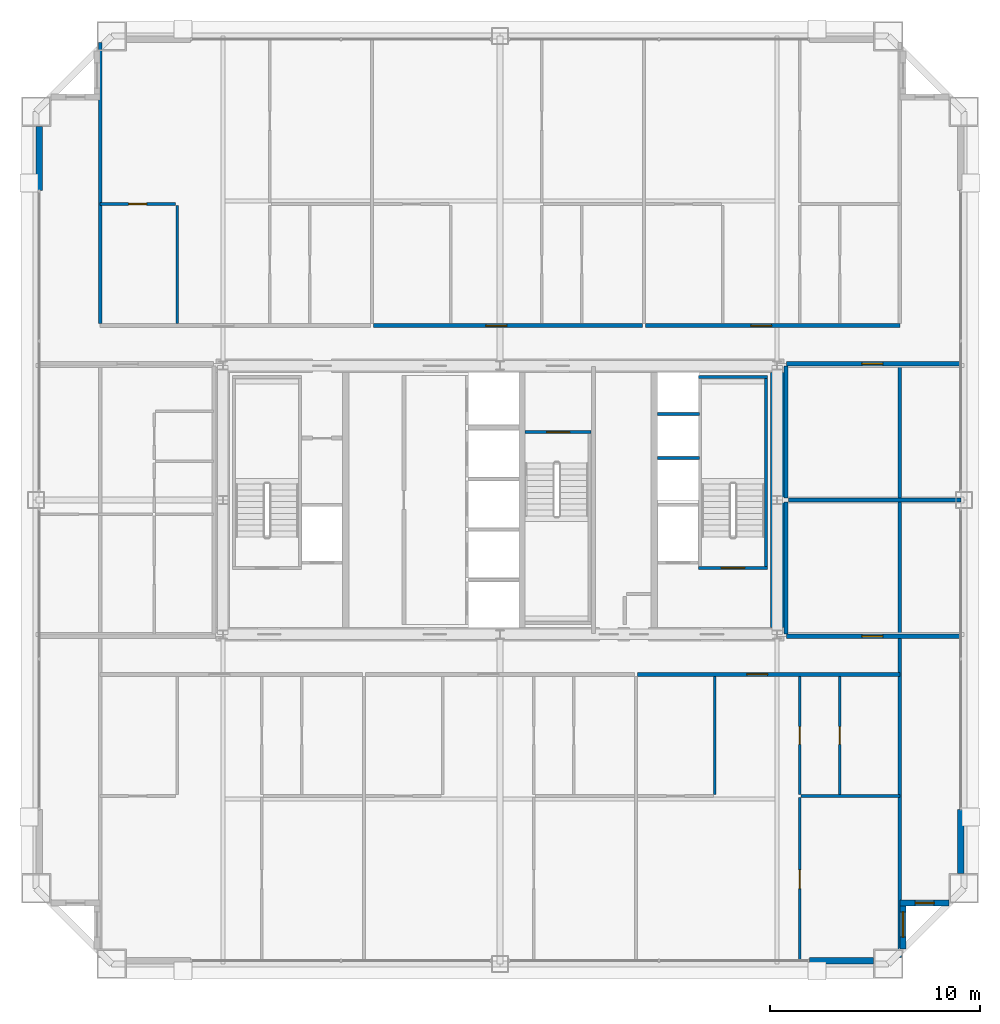
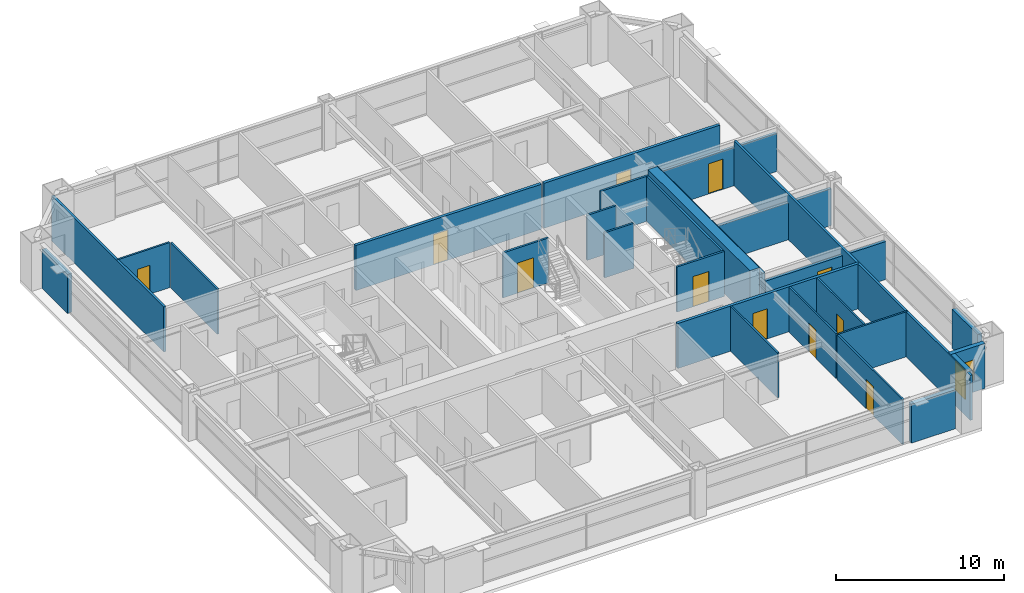
# One storey, part 35 of 38: 29 walls, 11 doors, 2 windows, 13 openings.
"""IFC4 building model written with IfcOpenShell, lengths in metres."""

from ifc_helpers import new_model, si_unit, direction, frame, frame_2d, origin, place, context, subcontext, project, spatial, rectangle, extrude, source, transform, mapped, material, layer, layer_set, type_object, element, fill, save


model = new_model("IFC4")

# Units and contexts
model_context = context("Model", 3, precision=1e-05, world=origin(), true_north=direction((0.0, 1.0)))
body_context = subcontext(model_context, "Body", "Model", "MODEL_VIEW")
ifc_project = project(units=[si_unit("LENGTHUNIT", "METRE"), si_unit("AREAUNIT", "SQUARE_METRE"), si_unit("VOLUMEUNIT", "CUBIC_METRE"), si_unit("PLANEANGLEUNIT", "RADIAN"), si_unit("MASSUNIT", "GRAM", prefix="KILO"), si_unit("THERMODYNAMICTEMPERATUREUNIT", "KELVIN"), si_unit("POWERUNIT", "WATT")], contexts=[model_context])

# Site, building, storey
site_placement = place(None, origin())
site = spatial("IfcSite", under=ifc_project, at=site_placement, CompositionType="ELEMENT")
building_placement = place(site_placement, origin())
building = spatial("IfcBuilding", under=site, at=building_placement, Name="Yuzanri Waterfront Tower", CompositionType="ELEMENT")
storey_placement = place(building_placement, frame((0.0, 0.0, 209.0)))
storey = spatial("IfcBuildingStorey", under=building, at=storey_placement, Name="L55", CompositionType="ELEMENT", Elevation=209.0)

# Wall, opening, door
ifc_material_1 = material(Name="Moisture-Resistant Gypsum Stud Wall", Category="gypsum")
ifc_layer_1 = layer(ifc_material_1, 0.1201171875)
ifc_layer_set_1 = layer_set([ifc_layer_1], Name="Moisture-Resistant Gypsum Stud Wall")
wall_type_1 = type_object("IfcWallType", Name="Bathroom and Kitchen Wet Partition 120", PredefinedType="PARTITIONING", material=ifc_layer_set_1)
wall_1_placement = place(storey_placement, frame((53.179931640625, 11.780029296875, 0.0), z_axis=(0.0, 0.0, 1.0), x_axis=(0.0, 1.0, 0.0)))
wall_1 = element("IfcWall", 1, at=wall_1_placement, inside=storey, type_object=wall_type_1, Name="L55 Partition UW-L55-RS3-SUB-2-W", PredefinedType="PARTITIONING", context=body_context, shape_type="SweptSolid", body=[
    extrude(rectangle(XDim=5.60986328125, YDim=0.1201171875, at=frame_2d((2.804931640625, 0.0))), origin(), (0.0, 0.0, 1.0), 3.280029296875),
])
opening_1_placement = place(wall_1_placement, frame((2.3798828125, 0.0, 0.0)))
opening_1 = element("IfcOpeningElement", 2, at=opening_1_placement, cuts=wall_1, Name="Opening ID-0850", PredefinedType="OPENING", context=body_context, shape_type="SweptSolid", body=[
    extrude(rectangle(XDim=0.85009765625, YDim=2.10009765625, at=frame_2d((0.425048828125, 1.050048828125))), frame((0.0, 0.074951171875, 0.0), z_axis=(0.0, -1.0, 0.0), x_axis=(1.0, 0.0, 0.0)), (0.0, 0.0, 1.0), 0.14990234375),
])
ifc_material_2 = material(Name="Moisture-Resistant Lacquered Timber", Category="wood")
door_type_1 = type_object("IfcDoorType", Name="En-Suite Bathroom and Kitchen Swing Door 850x2100", OperationType="NOTDEFINED", PredefinedType="DOOR", material=ifc_material_2)
shared_shape_1 = source(origin(), body_context, "Body", "SweptSolid", [
    extrude(rectangle(XDim=0.85009765625, YDim=2.10009765625, at=frame_2d((0.425048828125, 1.050048828125))), frame((0.0, 0.02490234375, 0.0), z_axis=(0.0, -1.0, 0.0), x_axis=(1.0, 0.0, 0.0)), (0.0, 0.0, 1.0), 0.050048828125),
])
door_1_placement = place(opening_1_placement, origin())
door_1 = element("IfcDoor", 3, at=door_1_placement, inside=storey, type_object=door_type_1, Name="L55 Suite Interior Room Door", OperationType="SINGLE_SWING_RIGHT", OverallHeight=2.10009765625, OverallWidth=0.85009765625, PredefinedType="DOOR", context=body_context, shape_type="MappedRepresentation", body=[
    mapped(shared_shape_1, transform((0.0, 0.0, 0.0), scale=1.0)),
])
fill(opening_1, door_1)

wall_2_placement = place(storey_placement, frame((51.26806640625, 3.85009765625, 0.0), z_axis=(0.0, 0.0, 1.0), x_axis=(0.0, 1.0, 0.0)))
wall_2 = element("IfcWall", 4, at=wall_2_placement, inside=storey, type_object=wall_type_1, Name="L55 Partition UW-L55-RS3-SUB-3-W", PredefinedType="PARTITIONING", context=body_context, shape_type="SweptSolid", body=[
    extrude(rectangle(XDim=7.77001953125, YDim=0.1201171875, at=frame_2d((3.885009765625, 0.0))), origin(), (0.0, 0.0, 1.0), 3.280029296875),
])
opening_2_placement = place(wall_2_placement, frame((3.43505859375, 0.0, 0.0)))
opening_2 = element("IfcOpeningElement", 5, at=opening_2_placement, cuts=wall_2, Name="Opening ID-0900", PredefinedType="OPENING", context=body_context, shape_type="SweptSolid", body=[
    extrude(rectangle(XDim=0.89990234375, YDim=2.14990234375, at=frame_2d((0.449951171875, 1.074951171875))), frame((0.0, 0.074951171875, 0.0), z_axis=(0.0, -1.0, 0.0), x_axis=(1.0, 0.0, 0.0)), (0.0, 0.0, 1.0), 0.14990234375),
])
ifc_material_3 = material(Name="Stained Walnut Veneer Timber", Category="wood")
door_type_2 = type_object("IfcDoorType", Name="Bedroom and Study Interior Swing Door 900x2150", OperationType="NOTDEFINED", PredefinedType="DOOR", material=ifc_material_3)
shared_shape_2 = source(origin(), body_context, "Body", "SweptSolid", [
    extrude(rectangle(XDim=0.89990234375, YDim=2.14990234375, at=frame_2d((0.449951171875, 1.074951171875))), frame((0.0, 0.02490234375, 0.0), z_axis=(0.0, -1.0, 0.0), x_axis=(1.0, 0.0, 0.0)), (0.0, 0.0, 1.0), 0.050048828125),
])
door_2_placement = place(opening_2_placement, origin())
door_2 = element("IfcDoor", 6, at=door_2_placement, inside=storey, type_object=door_type_2, Name="L55 Suite Interior Room Door", OperationType="SINGLE_SWING_LEFT", OverallHeight=2.14990234375, OverallWidth=0.89990234375, PredefinedType="DOOR", context=body_context, shape_type="MappedRepresentation", body=[
    mapped(shared_shape_2, transform((0.0, 0.0, 0.0), scale=1.0)),
])
fill(opening_2, door_2)

wall_3_placement = place(storey_placement, frame((51.26806640625, 11.780029296875, 0.0), z_axis=(0.0, 0.0, 1.0), x_axis=(0.0, 1.0, 0.0)))
wall_3 = element("IfcWall", 7, at=wall_3_placement, inside=storey, type_object=wall_type_1, Name="L55 Partition UW-L55-RS3-SUB-4-W", PredefinedType="PARTITIONING", context=body_context, shape_type="SweptSolid", body=[
    extrude(rectangle(XDim=5.60986328125, YDim=0.1201171875, at=frame_2d((2.804931640625, 0.0))), origin(), (0.0, 0.0, 1.0), 3.280029296875),
])
opening_3_placement = place(wall_3_placement, frame((2.3798828125, 0.0, 0.0)))
opening_3 = element("IfcOpeningElement", 8, at=opening_3_placement, cuts=wall_3, Name="Opening ID-0850", PredefinedType="OPENING", context=body_context, shape_type="SweptSolid", body=[
    extrude(rectangle(XDim=0.85009765625, YDim=2.10009765625, at=frame_2d((0.425048828125, 1.050048828125))), frame((0.0, 0.074951171875, 0.0), z_axis=(0.0, -1.0, 0.0), x_axis=(1.0, 0.0, 0.0)), (0.0, 0.0, 1.0), 0.14990234375),
])
door_3_placement = place(opening_3_placement, origin())
door_3 = element("IfcDoor", 9, at=door_3_placement, inside=storey, type_object=door_type_1, Name="L55 Suite Interior Room Door", OperationType="SINGLE_SWING_RIGHT", OverallHeight=2.10009765625, OverallWidth=0.85009765625, PredefinedType="DOOR", context=body_context, shape_type="MappedRepresentation", body=[
    mapped(shared_shape_1, transform((0.0, 0.0, 0.0), scale=1.0)),
])
fill(opening_3, door_3)

wall_4_placement = place(storey_placement, frame((17.93994140625, 39.89990234375, 0.0), z_axis=(0.0, 0.0, 1.0), x_axis=(1.0, 0.0, 0.0)))
wall_4 = element("IfcWall", 10, at=wall_4_placement, inside=storey, type_object=wall_type_1, Name="L55 Partition UW-L55-RN1-SUB-1-N", PredefinedType="PARTITIONING", context=body_context, shape_type="SweptSolid", body=[
    extrude(rectangle(XDim=3.60009765625, YDim=0.1201171875, at=frame_2d((1.800048828125, 0.0))), origin(), (0.0, 0.0, 1.0), 3.280029296875),
])
opening_4_placement = place(wall_4_placement, frame((1.375, 0.0, 0.0)))
opening_4 = element("IfcOpeningElement", 11, at=opening_4_placement, cuts=wall_4, Name="Opening ID-0850", PredefinedType="OPENING", context=body_context, shape_type="SweptSolid", body=[
    extrude(rectangle(XDim=0.85009765625, YDim=2.10009765625, at=frame_2d((0.425048828125, 1.050048828125))), frame((0.0, 0.074951171875, 0.0), z_axis=(0.0, -1.0, 0.0), x_axis=(1.0, 0.0, 0.0)), (0.0, 0.0, 1.0), 0.14990234375),
])
door_4_placement = place(opening_4_placement, origin())
door_4 = element("IfcDoor", 12, at=door_4_placement, inside=storey, type_object=door_type_1, Name="L55 Suite Interior Room Door", OperationType="SINGLE_SWING_RIGHT", OverallHeight=2.10009765625, OverallWidth=0.85009765625, PredefinedType="DOOR", context=body_context, shape_type="MappedRepresentation", body=[
    mapped(shared_shape_1, transform((0.0, 0.0, 0.0), scale=1.0)),
])
fill(opening_4, door_4)

# Wall, opening, window
ifc_material_4 = material(Name="Honed Chongqing Dark Basalt Stone", Category="masonry")
ifc_layer_2 = layer(ifc_material_4, 0.300048828125)
ifc_layer_set_2 = layer_set([ifc_layer_2], Name="Honed Chongqing Dark Basalt Stone")
wall_type_2 = type_object("IfcWallType", Name="Bronze Rainscreen Insulated Spandrel Portal Wall 300", PredefinedType="SOLIDWALL", material=ifc_layer_set_2)
wall_5_placement = place(storey_placement, frame((56.050048828125, 6.60009765625, 0.0), z_axis=(0.0, 0.0, 1.0), x_axis=(1.0, 0.0, 0.0)))
wall_5 = element("IfcWall", 13, at=wall_5_placement, inside=storey, type_object=wall_type_2, Name="L55 Notched Corner Masonry Wall SE-X", PredefinedType="SOLIDWALL", context=body_context, shape_type="SweptSolid", body=[
    extrude(rectangle(XDim=2.349853515625, YDim=0.300048828125, at=frame_2d((1.1748046875, 0.0))), origin(), (0.0, 0.0, 1.0), 3.280029296875),
])
opening_5_placement = place(wall_5_placement, frame((0.72509765625, 0.0, 0.85009765625)))
opening_5 = element("IfcOpeningElement", 14, at=opening_5_placement, cuts=wall_5, Name="Opening WN-05", PredefinedType="OPENING", context=body_context, shape_type="SweptSolid", body=[
    extrude(rectangle(XDim=0.89990234375, YDim=1.5, at=frame_2d((0.449951171875, 0.75))), frame((0.0, 0.1650390625, 0.0), z_axis=(0.0, -1.0, 0.0), x_axis=(1.0, 0.0, 0.0)), (0.0, 0.0, 1.0), 0.329833984375),
])
ifc_material_5 = material(Name="Double-Silver Low-E Insulated Glass", Category="glass")
window_type_1 = type_object("IfcWindowType", Name="Anodized Bronze Service and Stairwell Smoke-Vent Window 900x1500", PartitioningType="SINGLE_PANEL", PredefinedType="WINDOW", material=ifc_material_5)
shared_shape_3 = source(origin(), body_context, "Body", "SweptSolid", [
    extrude(rectangle(XDim=0.89990234375, YDim=1.5, at=frame_2d((0.449951171875, 0.75))), frame((0.0, 0.030029296875, 0.0), z_axis=(0.0, -1.0, 0.0), x_axis=(1.0, 0.0, 0.0)), (0.0, 0.0, 1.0), 0.06005859375),
])
window_1_placement = place(opening_5_placement, origin())
window_1 = element("IfcWindow", 15, at=window_1_placement, inside=storey, type_object=window_type_1, Name="L55 Notched Corner Window SE-X", OverallHeight=1.5, OverallWidth=0.89990234375, PartitioningType="SINGLE_PANEL", PredefinedType="WINDOW", context=body_context, shape_type="MappedRepresentation", body=[
    mapped(shared_shape_3, transform((0.0, 0.0, 0.0), scale=1.0)),
])
fill(opening_5, window_1)

wall_6_placement = place(storey_placement, frame((56.199951171875, 4.39990234375, 0.0), z_axis=(0.0, 0.0, 1.0), x_axis=(0.0, 1.0, 0.0)))
wall_6 = element("IfcWall", 16, at=wall_6_placement, inside=storey, type_object=wall_type_2, Name="L55 Notched Corner Masonry Wall SE-Y", PredefinedType="SOLIDWALL", context=body_context, shape_type="SweptSolid", body=[
    extrude(rectangle(XDim=2.35009765625, YDim=0.300048828125, at=frame_2d((1.175048828125, 0.0))), origin(), (0.0, 0.0, 1.0), 3.280029296875),
])
opening_6_placement = place(wall_6_placement, frame((0.574951171875, 0.0, 0.85009765625)))
opening_6 = element("IfcOpeningElement", 17, at=opening_6_placement, cuts=wall_6, Name="Opening WN-02", PredefinedType="OPENING", context=body_context, shape_type="SweptSolid", body=[
    extrude(rectangle(XDim=1.199951171875, YDim=2.10009765625, at=frame_2d((0.60009765625, 1.050048828125))), frame((0.0, 0.1650390625, 0.0), z_axis=(0.0, -1.0, 0.0), x_axis=(1.0, 0.0, 0.0)), (0.0, 0.0, 1.0), 0.329833984375),
])
ifc_material_6 = material(Name="Double-Silver Low-E Insulated Glass", Category="glass")
window_type_2 = type_object("IfcWindowType", Name="Anodized Bronze Notched Corner Deep-Set Slot Window 1200x2100", PartitioningType="SINGLE_PANEL", PredefinedType="WINDOW", material=ifc_material_6)
shared_shape_4 = source(origin(), body_context, "Body", "SweptSolid", [
    extrude(rectangle(XDim=1.199951171875, YDim=2.10009765625, at=frame_2d((0.60009765625, 1.050048828125))), frame((0.0, 0.030029296875, 0.0), z_axis=(0.0, -1.0, 0.0), x_axis=(1.0, 0.0, 0.0)), (0.0, 0.0, 1.0), 0.06005859375),
])
window_2_placement = place(opening_6_placement, origin())
window_2 = element("IfcWindow", 18, at=window_2_placement, inside=storey, type_object=window_type_2, Name="L55 Notched Corner Window SE-Y", OverallHeight=2.10009765625, OverallWidth=1.199951171875, PartitioningType="SINGLE_PANEL", PredefinedType="WINDOW", context=body_context, shape_type="MappedRepresentation", body=[
    mapped(shared_shape_4, transform((0.0, 0.0, 0.0), scale=1.0)),
])
fill(opening_6, window_2)

# Wall, opening, door
ifc_material_7 = material(Name="Concrete C40", Category="concrete")
ifc_layer_3 = layer(ifc_material_7, 0.139892578125)
ifc_layer_set_3 = layer_set([ifc_layer_3], Name="Concrete C40")
wall_type_3 = type_object("IfcWallType", Name="Core Stair Liner and Hoistway Shaft Wall 140", PredefinedType="SOLIDWALL", material=ifc_layer_set_3)
wall_7_placement = place(storey_placement, frame((46.4599609375, 22.570068359375, 0.0), z_axis=(0.0, 0.0, 1.0), x_axis=(1.0, 0.0, 0.0)))
wall_7 = element("IfcWall", 19, at=wall_7_placement, inside=storey, type_object=wall_type_3, Name="L55 Shaft Wall STW-L55-ST-02-S", PredefinedType="SOLIDWALL", context=body_context, shape_type="SweptSolid", body=[
    extrude(rectangle(XDim=3.280029296875, YDim=0.139892578125, at=frame_2d((1.64013671875, 0.0))), origin(), (0.0, 0.0, 1.0), 3.280029296875),
])
opening_7_placement = place(wall_7_placement, frame((1.090087890625, 0.0, 0.0)))
opening_7 = element("IfcOpeningElement", 20, at=opening_7_placement, cuts=wall_7, Name="Opening FD-1100", PredefinedType="OPENING", context=body_context, shape_type="SweptSolid", body=[
    extrude(rectangle(XDim=1.10009765625, YDim=2.199951171875, at=frame_2d((0.550048828125, 1.10009765625))), frame((0.0, 0.0849609375, 0.0), z_axis=(0.0, -1.0, 0.0), x_axis=(1.0, 0.0, 0.0)), (0.0, 0.0, 1.0), 0.169677734375),
])
ifc_material_8 = material(Name="Painted Galvanized Fire Steel", Category="steel")
door_type_3 = type_object("IfcDoorType", Name="Smoke-Proof Stair and Lobby Fire Door 1100x2200", OperationType="NOTDEFINED", PredefinedType="DOOR", material=ifc_material_8)
shared_shape_5 = source(origin(), body_context, "Body", "SweptSolid", [
    extrude(rectangle(XDim=1.10009765625, YDim=2.199951171875, at=frame_2d((0.550048828125, 1.10009765625))), frame((0.0, 0.02490234375, 0.0), z_axis=(0.0, -1.0, 0.0), x_axis=(1.0, 0.0, 0.0)), (0.0, 0.0, 1.0), 0.050048828125),
])
door_5_placement = place(opening_7_placement, origin())
door_5 = element("IfcDoor", 21, at=door_5_placement, inside=storey, type_object=door_type_3, Name="L55 Stair ST-02 Fire Door", OperationType="SINGLE_SWING_RIGHT", OverallHeight=2.199951171875, OverallWidth=1.10009765625, PredefinedType="DOOR", context=body_context, shape_type="MappedRepresentation", body=[
    mapped(shared_shape_5, transform((0.0, 0.0, 0.0), scale=1.0)),
])
fill(opening_7, door_5)

wall_8_placement = place(storey_placement, frame((38.199951171875, 29.030029296875, 0.0), z_axis=(0.0, 0.0, 1.0), x_axis=(1.0, 0.0, 0.0)))
wall_8 = element("IfcWall", 22, at=wall_8_placement, inside=storey, type_object=wall_type_3, Name="L55 Shaft Wall STW-L55-ST-03-N", PredefinedType="SOLIDWALL", context=body_context, shape_type="SweptSolid", body=[
    extrude(rectangle(XDim=3.14013671875, YDim=0.139892578125, at=frame_2d((1.570068359375, 0.0))), origin(), (0.0, 0.0, 1.0), 3.280029296875),
])
opening_8_placement = place(wall_8_placement, frame((1.02001953125, 0.0, 0.0)))
opening_8 = element("IfcOpeningElement", 23, at=opening_8_placement, cuts=wall_8, Name="Opening FD-1100", PredefinedType="OPENING", context=body_context, shape_type="SweptSolid", body=[
    extrude(rectangle(XDim=1.10009765625, YDim=2.199951171875, at=frame_2d((0.550048828125, 1.10009765625))), frame((0.0, 0.0849609375, 0.0), z_axis=(0.0, -1.0, 0.0), x_axis=(1.0, 0.0, 0.0)), (0.0, 0.0, 1.0), 0.169677734375),
])
door_6_placement = place(opening_8_placement, origin())
door_6 = element("IfcDoor", 24, at=door_6_placement, inside=storey, type_object=door_type_3, Name="L55 Stair ST-03 Fire Door", OperationType="SINGLE_SWING_LEFT", OverallHeight=2.199951171875, OverallWidth=1.10009765625, PredefinedType="DOOR", context=body_context, shape_type="MappedRepresentation", body=[
    mapped(shared_shape_5, transform((0.0, 0.0, 0.0), scale=1.0)),
])
fill(opening_8, door_6)

ifc_material_9 = material(Name="Autoclaved Aerated Concrete Blockwork", Category="masonry")
ifc_layer_4 = layer(ifc_material_9, 0.199951171875)
ifc_layer_set_4 = layer_set([ifc_layer_4], Name="Autoclaved Aerated Concrete Blockwork")
wall_type_4 = type_object("IfcWallType", Name="Corridor and Unit Party Fire Wall 200", PredefinedType="PARTITIONING", material=ifc_layer_set_4)
wall_9_placement = place(storey_placement, frame((43.56005859375, 17.489990234375, 0.0), z_axis=(0.0, 0.0, 1.0), x_axis=(1.0, 0.0, 0.0)))
wall_9 = element("IfcWall", 25, at=wall_9_placement, inside=storey, type_object=wall_type_4, Name="L55 Partition UW-L55-RS3-CN", PredefinedType="PARTITIONING", context=body_context, shape_type="SweptSolid", body=[
    extrude(rectangle(XDim=12.5, YDim=0.199951171875, at=frame_2d((6.25, 0.0))), origin(), (0.0, 0.0, 1.0), 3.280029296875),
])
opening_9_placement = place(wall_9_placement, frame((5.194091796875, 0.0, 0.0)))
opening_9 = element("IfcOpeningElement", 26, at=opening_9_placement, cuts=wall_9, Name="Opening FD-1000", PredefinedType="OPENING", context=body_context, shape_type="SweptSolid", body=[
    extrude(rectangle(XDim=1.0, YDim=2.199951171875, at=frame_2d((0.5, 1.10009765625))), frame((0.0, 0.11474609375, 0.0), z_axis=(0.0, -1.0, 0.0), x_axis=(1.0, 0.0, 0.0)), (0.0, 0.0, 1.0), 0.229736328125),
])
ifc_material_10 = material(Name="Engineered Oak Fire-Rated Timber", Category="wood")
door_type_4 = type_object("IfcDoorType", Name="Guestroom and Apartment Entrance Fire Door 1000x2200", OperationType="NOTDEFINED", PredefinedType="DOOR", material=ifc_material_10)
shared_shape_6 = source(origin(), body_context, "Body", "SweptSolid", [
    extrude(rectangle(XDim=1.0, YDim=2.199951171875, at=frame_2d((0.5, 1.10009765625))), frame((0.0, 0.02490234375, 0.0), z_axis=(0.0, -1.0, 0.0), x_axis=(1.0, 0.0, 0.0)), (0.0, 0.0, 1.0), 0.050048828125),
])
door_7_placement = place(opening_9_placement, origin())
door_7 = element("IfcDoor", 27, at=door_7_placement, inside=storey, type_object=door_type_4, Name="L55 Apartment Living Room Entrance Door", OperationType="SINGLE_SWING_RIGHT", OverallHeight=2.199951171875, OverallWidth=1.0, PredefinedType="DOOR", context=body_context, shape_type="MappedRepresentation", body=[
    mapped(shared_shape_6, transform((0.0, 0.0, 0.0), scale=1.0)),
])
fill(opening_9, door_7)

wall_10_placement = place(storey_placement, frame((30.98095703125, 34.110107421875, 0.0), z_axis=(0.0, 0.0, 1.0), x_axis=(1.0, 0.0, 0.0)))
wall_10 = element("IfcWall", 28, at=wall_10_placement, inside=storey, type_object=wall_type_4, Name="L55 Partition UW-L55-RN2-CS", PredefinedType="PARTITIONING", context=body_context, shape_type="SweptSolid", body=[
    extrude(rectangle(XDim=12.801025390625, YDim=0.199951171875, at=frame_2d((6.400390625, 0.0))), origin(), (0.0, 0.0, 1.0), 3.280029296875),
])
opening_10_placement = place(wall_10_placement, frame((5.343994140625, 0.0, 0.0)))
opening_10 = element("IfcOpeningElement", 29, at=opening_10_placement, cuts=wall_10, Name="Opening FD-1000", PredefinedType="OPENING", context=body_context, shape_type="SweptSolid", body=[
    extrude(rectangle(XDim=1.0, YDim=2.199951171875, at=frame_2d((0.5, 1.10009765625))), frame((0.0, 0.11474609375, 0.0), z_axis=(0.0, -1.0, 0.0), x_axis=(1.0, 0.0, 0.0)), (0.0, 0.0, 1.0), 0.229736328125),
])
door_8_placement = place(opening_10_placement, origin())
door_8 = element("IfcDoor", 30, at=door_8_placement, inside=storey, type_object=door_type_4, Name="L55 Apartment Living Room Entrance Door", OperationType="SINGLE_SWING_RIGHT", OverallHeight=2.199951171875, OverallWidth=1.0, PredefinedType="DOOR", context=body_context, shape_type="MappedRepresentation", body=[
    mapped(shared_shape_6, transform((0.0, 0.0, 0.0), scale=1.0)),
])
fill(opening_10, door_8)

wall_11_placement = place(storey_placement, frame((43.94189453125, 34.110107421875, 0.0), z_axis=(0.0, 0.0, 1.0), x_axis=(1.0, 0.0, 0.0)))
wall_11 = element("IfcWall", 31, at=wall_11_placement, inside=storey, type_object=wall_type_4, Name="L55 Partition UW-L55-RN3-CS", PredefinedType="PARTITIONING", context=body_context, shape_type="SweptSolid", body=[
    extrude(rectangle(XDim=12.1181640625, YDim=0.199951171875, at=frame_2d((6.05908203125, 0.0))), origin(), (0.0, 0.0, 1.0), 3.280029296875),
])
opening_11_placement = place(wall_11_placement, frame((5.0029296875, 0.0, 0.0)))
opening_11 = element("IfcOpeningElement", 32, at=opening_11_placement, cuts=wall_11, Name="Opening FD-1000", PredefinedType="OPENING", context=body_context, shape_type="SweptSolid", body=[
    extrude(rectangle(XDim=1.0, YDim=2.199951171875, at=frame_2d((0.5, 1.10009765625))), frame((0.0, 0.11474609375, 0.0), z_axis=(0.0, -1.0, 0.0), x_axis=(1.0, 0.0, 0.0)), (0.0, 0.0, 1.0), 0.229736328125),
])
door_9_placement = place(opening_11_placement, origin())
door_9 = element("IfcDoor", 33, at=door_9_placement, inside=storey, type_object=door_type_4, Name="L55 Apartment Living Room Entrance Door", OperationType="SINGLE_SWING_LEFT", OverallHeight=2.199951171875, OverallWidth=1.0, PredefinedType="DOOR", context=body_context, shape_type="MappedRepresentation", body=[
    mapped(shared_shape_6, transform((0.0, 0.0, 0.0), scale=1.0)),
])
fill(opening_11, door_9)

wall_12_placement = place(storey_placement, frame((50.64990234375, 19.31005859375, 0.0), z_axis=(0.0, 0.0, 1.0), x_axis=(1.0, 0.0, 0.0)))
wall_12 = element("IfcWall", 34, at=wall_12_placement, inside=storey, type_object=wall_type_4, Name="L55 Partition UW-L55-050-CS", PredefinedType="PARTITIONING", context=body_context, shape_type="SweptSolid", body=[
    extrude(rectangle(XDim=8.300048828125, YDim=0.199951171875, at=frame_2d((4.14990234375, 0.0))), origin(), (0.0, 0.0, 1.0), 2.77490234375),
])
opening_12_placement = place(wall_12_placement, frame((3.5849609375, 0.0, 0.0)))
opening_12 = element("IfcOpeningElement", 35, at=opening_12_placement, cuts=wall_12, Name="Opening FD-1000", PredefinedType="OPENING", context=body_context, shape_type="SweptSolid", body=[
    extrude(rectangle(XDim=1.0, YDim=2.199951171875, at=frame_2d((0.5, 1.10009765625))), frame((0.0, 0.11474609375, 0.0), z_axis=(0.0, -1.0, 0.0), x_axis=(1.0, 0.0, 0.0)), (0.0, 0.0, 1.0), 0.229736328125),
])
door_10_placement = place(opening_12_placement, origin())
door_10 = element("IfcDoor", 36, at=door_10_placement, inside=storey, type_object=door_type_4, Name="L55 Residents E Co-Working Office 1 Entrance Door", OperationType="SINGLE_SWING_LEFT", OverallHeight=2.199951171875, OverallWidth=1.0, PredefinedType="DOOR", context=body_context, shape_type="MappedRepresentation", body=[
    mapped(shared_shape_6, transform((0.0, 0.0, 0.0), scale=1.0)),
])
fill(opening_12, door_10)

wall_13_placement = place(storey_placement, frame((50.64990234375, 32.2900390625, 0.0), z_axis=(0.0, 0.0, 1.0), x_axis=(1.0, 0.0, 0.0)))
wall_13 = element("IfcWall", 37, at=wall_13_placement, inside=storey, type_object=wall_type_4, Name="L55 Partition UW-L55-051-CN", PredefinedType="PARTITIONING", context=body_context, shape_type="SweptSolid", body=[
    extrude(rectangle(XDim=8.300048828125, YDim=0.199951171875, at=frame_2d((4.14990234375, 0.0))), origin(), (0.0, 0.0, 1.0), 2.77490234375),
])
opening_13_placement = place(wall_13_placement, frame((3.5849609375, 0.0, 0.0)))
opening_13 = element("IfcOpeningElement", 38, at=opening_13_placement, cuts=wall_13, Name="Opening FD-1000", PredefinedType="OPENING", context=body_context, shape_type="SweptSolid", body=[
    extrude(rectangle(XDim=1.0, YDim=2.199951171875, at=frame_2d((0.5, 1.10009765625))), frame((0.0, 0.11474609375, 0.0), z_axis=(0.0, -1.0, 0.0), x_axis=(1.0, 0.0, 0.0)), (0.0, 0.0, 1.0), 0.229736328125),
])
door_11_placement = place(opening_13_placement, origin())
door_11 = element("IfcDoor", 39, at=door_11_placement, inside=storey, type_object=door_type_4, Name="L55 Residents E Executive Office 2 Entrance Door", OperationType="SINGLE_SWING_RIGHT", OverallHeight=2.199951171875, OverallWidth=1.0, PredefinedType="DOOR", context=body_context, shape_type="MappedRepresentation", body=[
    mapped(shared_shape_6, transform((0.0, 0.0, 0.0), scale=1.0)),
])
fill(opening_13, door_11)

# Walls
ifc_material_11 = material(Name="Concrete C50", Category="concrete")
ifc_layer_5 = layer(ifc_material_11, 0.64990234375)
ifc_layer_set_5 = layer_set([ifc_layer_5], Name="Concrete C50")
wall_type_5 = type_object("IfcWallType", Name="Concrete C50 Mid Zone Core Shear Wall 650", PredefinedType="SHEAR", material=ifc_layer_set_5)
shared_shape_7 = source(origin(), body_context, "Body", "SweptSolid", [
    extrude(rectangle(XDim=12.14990234375, YDim=0.64990234375, at=frame_2d((6.074951171875, 0.0))), origin(), (0.0, 0.0, 1.0), 3.5),
])
wall_14_placement = place(storey_placement, frame((50.199951171875, 19.72509765625, 0.0), z_axis=(0.0, 0.0, 1.0), x_axis=(0.0, 1.0, 0.0)))
element("IfcWall", 40, at=wall_14_placement, inside=storey, type_object=wall_type_5, Name="L55 Core East Shear Wall", PredefinedType="SHEAR", context=body_context, shape_type="MappedRepresentation", body=[
    mapped(shared_shape_7, transform((0.0, 0.0, 0.0), scale=1.0)),
])
shared_shape_8 = source(origin(), body_context, "Body", "SweptSolid", [
    extrude(rectangle(XDim=3.050048828125, YDim=0.300048828125, at=frame_2d((1.52490234375, 0.0))), origin(), (0.0, 0.0, 1.0), 2.8349609375),
])
for number, where, z_axis, x_axis, name in (
    (41, (51.75, 3.85009765625, 0.0), (0.0, 0.0, 1.0), (1.0, 0.0, 0.0), "L55 S Right Braced Masonry Shoulder"),
    (42, (15.050048828125, 40.550048828125, 0.0), (0.0, 0.0, 1.0), (0.0, 1.0, 0.0), "L55 W Right Braced Masonry Shoulder"),
    (43, (58.949951171875, 8.0, 0.0), (0.0, 0.0, 1.0), (0.0, 1.0, 0.0), "L55 E Left Braced Masonry Shoulder"),
):
    element("IfcWall", number, at=place(storey_placement, frame(where, z_axis=z_axis, x_axis=x_axis)), inside=storey, type_object=wall_type_2, Name=name, PredefinedType="SOLIDWALL", context=body_context, shape_type="MappedRepresentation", body=[
        mapped(shared_shape_8, transform((0.0, 0.0, 0.0), scale=1.0)),
    ])
shared_shape_9 = source(origin(), body_context, "Body", "SweptSolid", [
    extrude(rectangle(XDim=2.0, YDim=0.139892578125, at=frame_2d((1.0, 0.0))), origin(), (0.0, 0.0, 1.0), 3.280029296875),
])
for number, where, z_axis, x_axis, name in (
    (44, (44.5, 27.800048828125, 0.0), (0.0, 0.0, 1.0), (1.0, 0.0, 0.0), "L55 Lift PL-09 Divider Wall"),
    (45, (44.5, 29.89990234375, 0.0), (0.0, 0.0, 1.0), (1.0, 0.0, 0.0), "L55 Lift PL-10 Divider Wall"),
):
    element("IfcWall", number, at=place(storey_placement, frame(where, z_axis=z_axis, x_axis=x_axis)), inside=storey, type_object=wall_type_3, Name=name, PredefinedType="SOLIDWALL", context=body_context, shape_type="MappedRepresentation", body=[
        mapped(shared_shape_9, transform((0.0, 0.0, 0.0), scale=1.0)),
    ])
shared_shape_10 = source(origin(), body_context, "Body", "SweptSolid", [
    extrude(rectangle(XDim=3.280029296875, YDim=0.139892578125, at=frame_2d((1.64013671875, 0.0))), origin(), (0.0, 0.0, 1.0), 3.280029296875),
])
wall_15_placement = place(storey_placement, frame((46.4599609375, 31.64990234375, 0.0), z_axis=(0.0, 0.0, 1.0), x_axis=(1.0, 0.0, 0.0)))
element("IfcWall", 46, at=wall_15_placement, inside=storey, type_object=wall_type_3, Name="L55 Stair ST-02 North Shaft Wall", PredefinedType="SOLIDWALL", context=body_context, shape_type="MappedRepresentation", body=[
    mapped(shared_shape_10, transform((0.0, 0.0, 0.0), scale=1.0)),
])
shared_shape_11 = source(origin(), body_context, "Body", "SweptSolid", [
    extrude(rectangle(XDim=8.940185546875, YDim=0.139892578125, at=frame_2d((4.47021484375, 0.0))), origin(), (0.0, 0.0, 1.0), 3.280029296875),
])
wall_16_placement = place(storey_placement, frame((49.669921875, 22.639892578125, 0.0), z_axis=(0.0, 0.0, 1.0), x_axis=(0.0, 1.0, 0.0)))
element("IfcWall", 47, at=wall_16_placement, inside=storey, type_object=wall_type_3, Name="L55 Stair ST-02 East Shaft Wall", PredefinedType="SOLIDWALL", context=body_context, shape_type="MappedRepresentation", body=[
    mapped(shared_shape_11, transform((0.0, 0.0, 0.0), scale=1.0)),
])
ifc_material_12 = material(Name="Gypsum Fireboard Acoustic Stud Wall", Category="gypsum")
ifc_layer_6 = layer(ifc_material_12, 0.159912109375)
ifc_layer_set_6 = layer_set([ifc_layer_6], Name="Gypsum Fireboard Acoustic Stud Wall")
wall_type_6 = type_object("IfcWallType", Name="Acoustic Suite Demising Partition 160", PredefinedType="PARTITIONING", material=ifc_layer_set_6)
shared_shape_12 = source(origin(), body_context, "Body", "SweptSolid", [
    extrude(rectangle(XDim=13.39013671875, YDim=0.159912109375, at=frame_2d((6.695068359375, 0.0))), origin(), (0.0, 0.0, 1.0), 3.280029296875),
])
wall_17_placement = place(storey_placement, frame((17.949951171875, 34.2099609375, 0.0), z_axis=(0.0, 0.0, 1.0), x_axis=(0.0, 1.0, 0.0)))
element("IfcWall", 48, at=wall_17_placement, inside=storey, type_object=wall_type_6, Name="L55 North Band West End Wall", PredefinedType="PARTITIONING", context=body_context, shape_type="MappedRepresentation", body=[
    mapped(shared_shape_12, transform((0.0, 0.0, 0.0), scale=1.0)),
])
shared_shape_13 = source(origin(), body_context, "Body", "SweptSolid", [
    extrude(rectangle(XDim=5.60986328125, YDim=0.1201171875, at=frame_2d((2.804931640625, 0.0))), origin(), (0.0, 0.0, 1.0), 3.280029296875),
])
wall_18_placement = place(storey_placement, frame((47.239990234375, 11.780029296875, 0.0), z_axis=(0.0, 0.0, 1.0), x_axis=(0.0, 1.0, 0.0)))
element("IfcWall", 49, at=wall_18_placement, inside=storey, type_object=wall_type_1, Name="L55 Partition UW-L55-RS3-SUB-1-E", PredefinedType="PARTITIONING", context=body_context, shape_type="MappedRepresentation", body=[
    mapped(shared_shape_13, transform((0.0, 0.0, 0.0), scale=1.0)),
])
shared_shape_14 = source(origin(), body_context, "Body", "SweptSolid", [
    extrude(rectangle(XDim=5.610107421875, YDim=0.1201171875, at=frame_2d((2.80517578125, 0.0))), origin(), (0.0, 0.0, 1.0), 3.280029296875),
])
wall_19_placement = place(storey_placement, frame((21.6201171875, 34.2099609375, 0.0), z_axis=(0.0, 0.0, 1.0), x_axis=(0.0, 1.0, 0.0)))
element("IfcWall", 50, at=wall_19_placement, inside=storey, type_object=wall_type_1, Name="L55 Partition UW-L55-RN1-SUB-1-E", PredefinedType="PARTITIONING", context=body_context, shape_type="MappedRepresentation", body=[
    mapped(shared_shape_14, transform((0.0, 0.0, 0.0), scale=1.0)),
])
shared_shape_15 = source(origin(), body_context, "Body", "SweptSolid", [
    extrude(rectangle(XDim=8.21484375, YDim=0.199951171875, at=frame_2d((4.107421875, 0.0))), origin(), (0.0, 0.0, 1.0), 2.68701171875),
])
wall_20_placement = place(storey_placement, frame((50.735107421875, 25.800048828125, 0.0), z_axis=(0.0, 0.0, 1.0), x_axis=(1.0, 0.0, 0.0)))
element("IfcWall", 51, at=wall_20_placement, inside=storey, type_object=wall_type_4, Name="L55-050 Wing North Wall", PredefinedType="PARTITIONING", context=body_context, shape_type="MappedRepresentation", body=[
    mapped(shared_shape_15, transform((0.0, 0.0, 0.0), scale=1.0)),
])
shared_shape_16 = source(origin(), body_context, "Body", "SweptSolid", [
    extrude(rectangle(XDim=6.2900390625, YDim=0.199951171875, at=frame_2d((3.14501953125, 0.0))), origin(), (0.0, 0.0, 1.0), 3.280029296875),
])
for number, where, z_axis, x_axis, name in (
    (52, (50.6298828125, 19.409912109375, 0.0), (0.0, 0.0, 1.0), (0.0, 1.0, 0.0), "L55-050 Wing Inner Core-Side Wall"),
    (53, (50.6298828125, 25.89990234375, 0.0), (0.0, 0.0, 1.0), (0.0, 1.0, 0.0), "L55-051 Wing Inner Core-Side Wall"),
):
    element("IfcWall", number, at=place(storey_placement, frame(where, z_axis=z_axis, x_axis=x_axis)), inside=storey, type_object=wall_type_4, Name=name, PredefinedType="PARTITIONING", context=body_context, shape_type="MappedRepresentation", body=[
        mapped(shared_shape_16, transform((0.0, 0.0, 0.0), scale=1.0)),
    ])
shared_shape_17 = source(origin(), body_context, "Body", "SweptSolid", [
    extrude(rectangle(XDim=28.18994140625, YDim=0.159912109375, at=frame_2d((14.094970703125, 0.0))), origin(), (0.0, 0.0, 1.0), 3.280029296875),
])
wall_21_placement = place(storey_placement, frame((56.050048828125, 4.0, 0.0), z_axis=(0.0, 0.0, 1.0), x_axis=(0.0, 1.0, 0.0)))
element("IfcWall", 54, at=wall_21_placement, inside=storey, type_object=wall_type_6, Name="L55 South Band East End Wall", PredefinedType="PARTITIONING", context=body_context, shape_type="MappedRepresentation", body=[
    mapped(shared_shape_17, transform((0.0, 0.0, 0.0), scale=1.0)),
])
shared_shape_18 = source(origin(), body_context, "Body", "SweptSolid", [
    extrude(rectangle(XDim=4.712158203125, YDim=0.1201171875, at=frame_2d((2.35595703125, 0.0))), origin(), (0.0, 0.0, 1.0), 3.280029296875),
])
wall_22_placement = place(storey_placement, frame((51.347900390625, 11.699951171875, 0.0), z_axis=(0.0, 0.0, 1.0), x_axis=(1.0, 0.0, 0.0)))
element("IfcWall", 55, at=wall_22_placement, inside=storey, type_object=wall_type_1, Name="L55 Partition UW-L55-RS3-SUB-3-N", PredefinedType="PARTITIONING", context=body_context, shape_type="MappedRepresentation", body=[
    mapped(shared_shape_18, transform((0.0, 0.0, 0.0), scale=1.0)),
])

save(model, "model.ifc")
